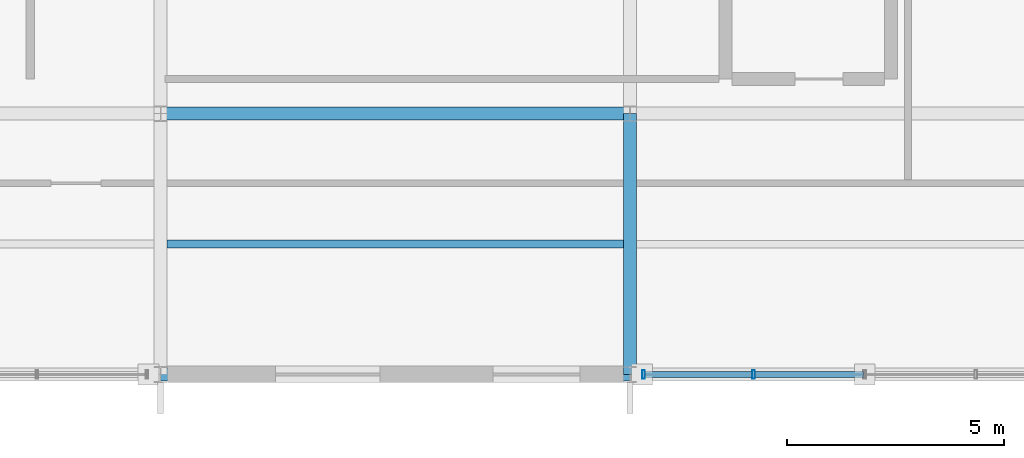
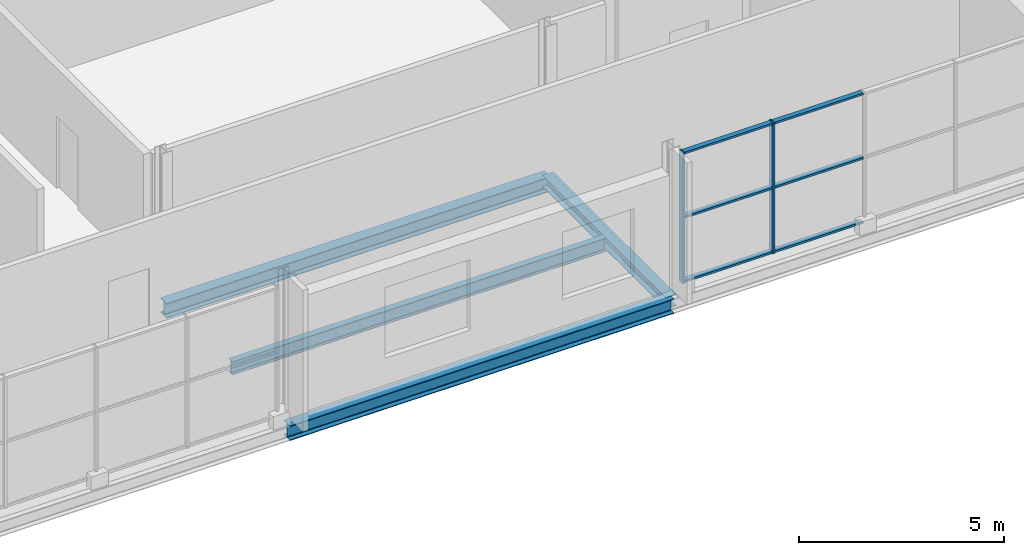
# One storey, part 78 of 117: 8 members, 4 beams, 1 element without a shape of its own.
"""IFC4 building model written with IfcOpenShell, lengths in metres."""

from ifc_helpers import new_model, si_unit, direction, frame, origin, origin_2d, place, context, subcontext, project, spatial, hollow_rectangle, i_section, extrude, material, material_profile, profile_set, type_object, element, aggregate, save


model = new_model("IFC4")

# Units and contexts
model_context = context("Model", 3, precision=1e-05, world=origin(), true_north=direction((0.0, 1.0)))
body_context = subcontext(model_context, "Body", "Model", "MODEL_VIEW")
ifc_project = project(units=[si_unit("LENGTHUNIT", "METRE"), si_unit("AREAUNIT", "SQUARE_METRE"), si_unit("VOLUMEUNIT", "CUBIC_METRE"), si_unit("PLANEANGLEUNIT", "RADIAN"), si_unit("MASSUNIT", "GRAM", prefix="KILO")], contexts=[model_context])

# Site, building, storey
site_placement = place(None, origin())
site = spatial("IfcSite", under=ifc_project, at=site_placement, CompositionType="ELEMENT")
building_placement = place(site_placement, origin())
building = spatial("IfcBuilding", under=site, at=building_placement, Name="Merenkruunu Market Hall", CompositionType="ELEMENT")
storey_placement = place(building_placement, frame((0.0, 0.0, 10.199951171875)))
storey = spatial("IfcBuildingStorey", under=building, at=storey_placement, Name="L02", CompositionType="ELEMENT", Elevation=10.199951171875)

# Curtain wall, members
ifc_material_1 = material(Name="Powder-coated aluminium", Category="aluminium")
curtain_wall_type = type_object("IfcCurtainWallType", Name="Glazed Curtain Wall CW07", PredefinedType="USERDEFINED", material=ifc_material_1)
curtain_wall_placement = place(storey_placement, origin())
curtain_wall = element("IfcCurtainWall", 1, at=curtain_wall_placement, inside=storey, type_object=curtain_wall_type, Name="CW-L02-CWM03-216", ObjectType="GLAZED_FACADE", PredefinedType="USERDEFINED")
ifc_material_profile_1 = material_profile(ifc_material_1, hollow_rectangle(XDim=0.06005859375, YDim=0.199951171875, WallThickness=0.0048828125, at=origin_2d()), Name="ALU 60x200x5")
ifc_profile_set_1 = profile_set([ifc_material_profile_1], Name="Powder-coated aluminium")
member_type_1 = type_object("IfcMemberType", Name="Curtain Wall Mullion CWM03", PredefinedType="MULLION", material=ifc_profile_set_1)
member_1_placement = place(storey_placement, frame((184.0400390625, 0.0, 0.0), z_axis=(0.0, 0.0, 1.0), x_axis=(-1.0, 0.0, 0.0)))
member_1 = element("IfcMember", 2, at=member_1_placement, type_object=member_type_1, Name="CW07 mullion 4", PredefinedType="MULLION", context=body_context, shape_type="SweptSolid", body=[
    extrude(hollow_rectangle(XDim=0.06005859375, YDim=0.199951171875, WallThickness=0.0048828125, at=origin_2d()), origin(), (0.0, 0.0, 1.0), 3.880126953125),
])
member_2_placement = place(storey_placement, frame((181.510009765625, 0.0, 0.0), z_axis=(0.0, 0.0, 1.0), x_axis=(-1.0, 0.0, 0.0)))
member_2 = element("IfcMember", 3, at=member_2_placement, type_object=member_type_1, Name="CW07 mullion 5", PredefinedType="MULLION", context=body_context, shape_type="SweptSolid", body=[
    extrude(hollow_rectangle(XDim=0.06005859375, YDim=0.199951171875, WallThickness=0.0048828125, at=origin_2d()), origin(), (0.0, 0.0, 1.0), 3.880126953125),
])
ifc_material_profile_2 = material_profile(ifc_material_1, hollow_rectangle(XDim=0.06005859375, YDim=0.139892578125, WallThickness=0.00390625, at=origin_2d()), Name="ALU 60x140x4")
ifc_profile_set_2 = profile_set([ifc_material_profile_2], Name="Powder-coated aluminium")
member_type_2 = type_object("IfcMemberType", Name="Curtain Wall Transom CWT02", PredefinedType="USERDEFINED", material=ifc_profile_set_2)
member_3_placement = place(storey_placement, frame((186.570068359375, 0.0, 0.030029296875), z_axis=(-1.0, 0.0, 0.0), x_axis=(0.0, 0.0, 1.0)))
member_3 = element("IfcMember", 4, at=member_3_placement, type_object=member_type_2, Name="CW07 transom 3.1", ObjectType="TRANSOM", PredefinedType="USERDEFINED", context=body_context, shape_type="SweptSolid", body=[
    extrude(hollow_rectangle(XDim=0.06005859375, YDim=0.139892578125, WallThickness=0.00390625, at=origin_2d()), origin(), (0.0, 0.0, 1.0), 2.5),
])
member_4_placement = place(storey_placement, frame((186.570068359375, 0.0, 1.93994140625), z_axis=(-1.0, 0.0, 0.0), x_axis=(0.0, 0.0, 1.0)))
member_4 = element("IfcMember", 5, at=member_4_placement, type_object=member_type_2, Name="CW07 transom 3.2", ObjectType="TRANSOM", PredefinedType="USERDEFINED", context=body_context, shape_type="SweptSolid", body=[
    extrude(hollow_rectangle(XDim=0.06005859375, YDim=0.139892578125, WallThickness=0.00390625, at=origin_2d()), origin(), (0.0, 0.0, 1.0), 2.5),
])
member_5_placement = place(storey_placement, frame((186.570068359375, 0.0, 3.85009765625), z_axis=(-1.0, 0.0, 0.0), x_axis=(0.0, 0.0, 1.0)))
member_5 = element("IfcMember", 6, at=member_5_placement, type_object=member_type_2, Name="CW07 transom 3.3", ObjectType="TRANSOM", PredefinedType="USERDEFINED", context=body_context, shape_type="SweptSolid", body=[
    extrude(hollow_rectangle(XDim=0.06005859375, YDim=0.139892578125, WallThickness=0.00390625, at=origin_2d()), origin(), (0.0, 0.0, 1.0), 2.5),
])
member_6_placement = place(storey_placement, frame((184.010009765625, 0.0, 0.030029296875), z_axis=(-1.0, 0.0, 0.0), x_axis=(0.0, 0.0, 1.0)))
member_6 = element("IfcMember", 7, at=member_6_placement, type_object=member_type_2, Name="CW07 transom 4.1", ObjectType="TRANSOM", PredefinedType="USERDEFINED", context=body_context, shape_type="SweptSolid", body=[
    extrude(hollow_rectangle(XDim=0.06005859375, YDim=0.139892578125, WallThickness=0.00390625, at=origin_2d()), origin(), (0.0, 0.0, 1.0), 2.469970703125),
])
member_7_placement = place(storey_placement, frame((184.010009765625, 0.0, 1.93994140625), z_axis=(-1.0, 0.0, 0.0), x_axis=(0.0, 0.0, 1.0)))
member_7 = element("IfcMember", 8, at=member_7_placement, type_object=member_type_2, Name="CW07 transom 4.2", ObjectType="TRANSOM", PredefinedType="USERDEFINED", context=body_context, shape_type="SweptSolid", body=[
    extrude(hollow_rectangle(XDim=0.06005859375, YDim=0.139892578125, WallThickness=0.00390625, at=origin_2d()), origin(), (0.0, 0.0, 1.0), 2.469970703125),
])
member_8_placement = place(storey_placement, frame((184.010009765625, 0.0, 3.85009765625), z_axis=(-1.0, 0.0, 0.0), x_axis=(0.0, 0.0, 1.0)))
member_8 = element("IfcMember", 9, at=member_8_placement, type_object=member_type_2, Name="CW07 transom 4.3", ObjectType="TRANSOM", PredefinedType="USERDEFINED", context=body_context, shape_type="SweptSolid", body=[
    extrude(hollow_rectangle(XDim=0.06005859375, YDim=0.139892578125, WallThickness=0.00390625, at=origin_2d()), origin(), (0.0, 0.0, 1.0), 2.469970703125),
])
aggregate(curtain_wall, [member_1, member_2, member_3, member_4, member_5, member_6, member_7, member_8])

# Beams
ifc_material_2 = material(Name="Steel S355J2", Category="steel")
ifc_material_profile_3 = material_profile(ifc_material_2, i_section(OverallWidth=0.300048828125, OverallDepth=0.43994140625, WebThickness=0.011474609375, FlangeThickness=0.02099609375, FilletRadius=0.027099609375, at=origin_2d()), Name="HEA 450")
ifc_profile_set_3 = profile_set([ifc_material_profile_3], Name="Steel S355J2")
beam_type_1 = type_object("IfcBeamType", Name="Primary Floor Girder B07", PredefinedType="BEAM", material=ifc_profile_set_3)
for number, where, z_axis, x_axis, name in (
    (10, (170.39990234375, 0.0, -0.530029296875), (1.0, 0.0, 0.0), (0.0, 1.0, 0.0), "BM-L02-B07-0738"),
    (11, (170.39990234375, 6.0, -0.530029296875), (1.0, 0.0, 0.0), (0.0, 1.0, 0.0), "BM-L02-B07-0742"),
):
    element("IfcBeam", number, at=place(storey_placement, frame(where, z_axis=z_axis, x_axis=x_axis)), inside=storey, type_object=beam_type_1, Name=name, PredefinedType="BEAM", context=body_context, shape_type="SweptSolid", body=[
        extrude(i_section(OverallWidth=0.300048828125, OverallDepth=0.43994140625, WebThickness=0.011474609375, FlangeThickness=0.02099609375, FilletRadius=0.027099609375, at=origin_2d()), origin(), (0.0, 0.0, 1.0), 10.800048828125),
    ])
ifc_material_profile_4 = material_profile(ifc_material_2, i_section(OverallWidth=0.300048828125, OverallDepth=0.35009765625, WebThickness=0.010009765625, FlangeThickness=0.017578125, FilletRadius=0.027099609375, at=origin_2d()), Name="HEA 360")
ifc_profile_set_4 = profile_set([ifc_material_profile_4], Name="Steel S355J2")
beam_type_2 = type_object("IfcBeamType", Name="Primary Floor Girder B08", PredefinedType="BEAM", material=ifc_profile_set_4)
beam_1_placement = place(storey_placement, frame((181.199951171875, 0.0, -0.48486328125), z_axis=(0.0, 1.0, 0.0), x_axis=(-1.0, 0.0, 0.0)))
element("IfcBeam", 12, at=beam_1_placement, inside=storey, type_object=beam_type_2, Name="BM-L02-B08-0808", PredefinedType="BEAM", context=body_context, shape_type="SweptSolid", body=[
    extrude(i_section(OverallWidth=0.300048828125, OverallDepth=0.35009765625, WebThickness=0.010009765625, FlangeThickness=0.017578125, FilletRadius=0.027099609375, at=origin_2d()), origin(), (0.0, 0.0, 1.0), 6.0),
])
ifc_material_profile_5 = material_profile(ifc_material_2, i_section(OverallWidth=0.179931640625, OverallDepth=0.39990234375, WebThickness=0.008544921875, FlangeThickness=0.013427734375, FilletRadius=0.02099609375, at=origin_2d()), Name="IPE 400")
ifc_profile_set_5 = profile_set([ifc_material_profile_5], Name="Steel S355J2")
beam_type_3 = type_object("IfcBeamType", Name="Secondary Floor Joist J02", PredefinedType="JOIST", material=ifc_profile_set_5)
beam_2_placement = place(storey_placement, frame((170.552978515625, 3.0, -0.510009765625), z_axis=(1.0, 0.0, 0.0), x_axis=(0.0, 1.0, 0.0)))
element("IfcBeam", 13, at=beam_2_placement, inside=storey, type_object=beam_type_3, Name="BM-L02-J02-0847", PredefinedType="JOIST", context=body_context, shape_type="SweptSolid", body=[
    extrude(i_section(OverallWidth=0.179931640625, OverallDepth=0.39990234375, WebThickness=0.008544921875, FlangeThickness=0.013427734375, FilletRadius=0.02099609375, at=origin_2d()), origin(), (0.0, 0.0, 1.0), 10.494140625),
])

save(model, "model.ifc")
